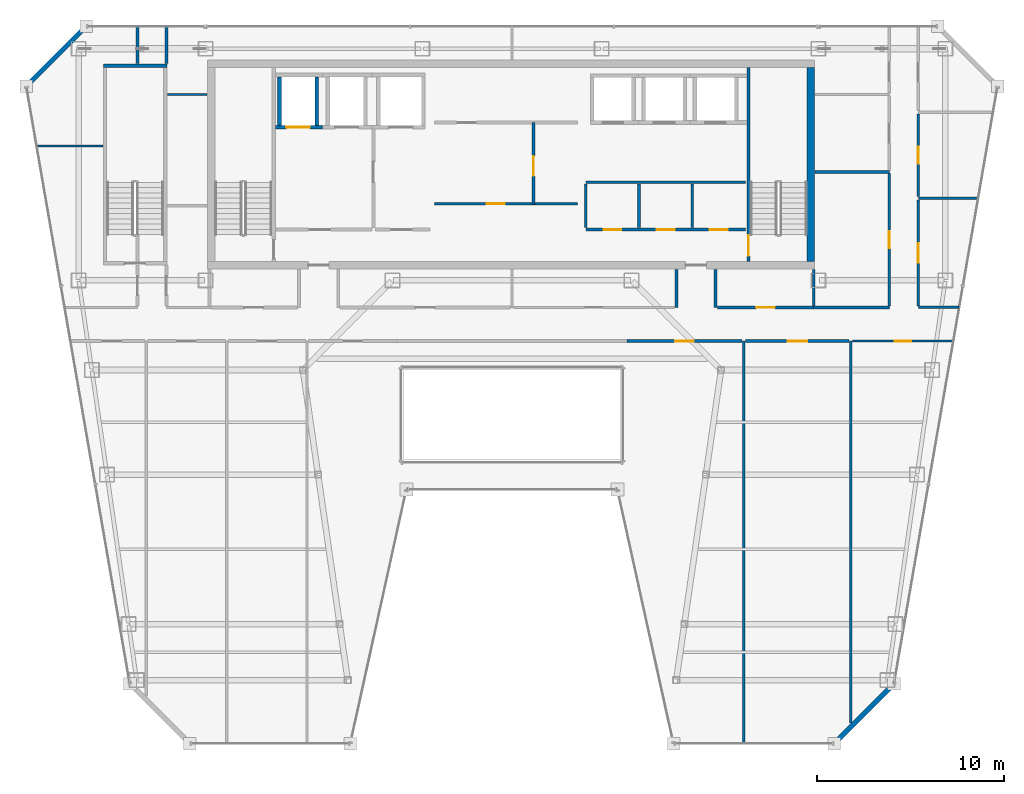
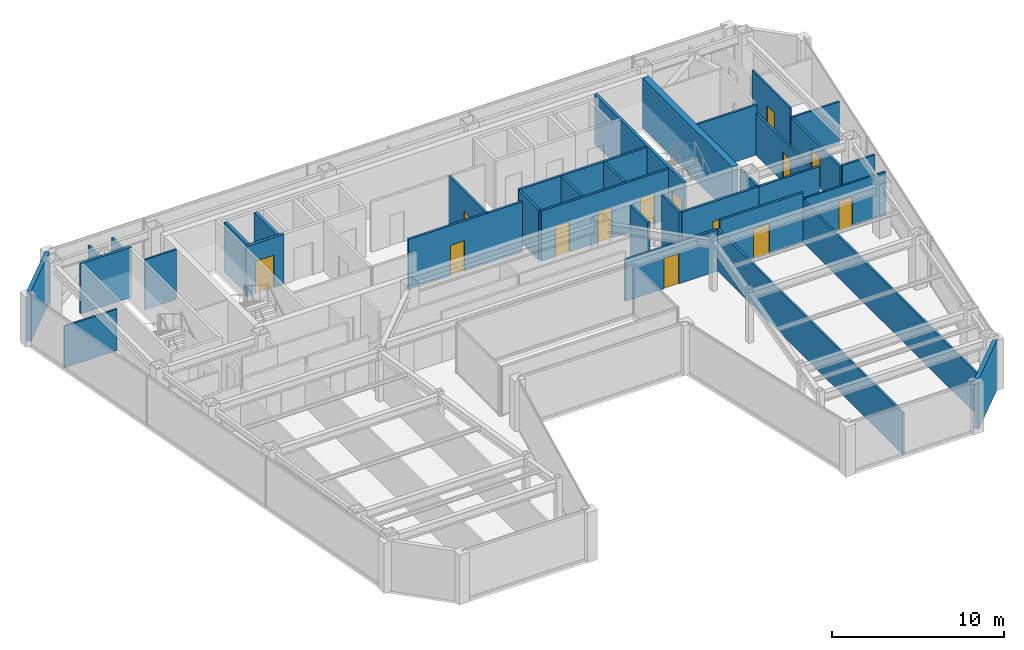
# One storey, part 27 of 33: 35 walls, 14 doors, 14 openings.
"""IFC4 building model written with IfcOpenShell, lengths in metres."""

import ifcopenshell
import ifcopenshell.guid

model = None  # the IFC model being written
_history = None  # IfcOwnerHistory: only IFC2X3 demands one
_inside = {}  # id of a spatial element -> (the spatial element, [elements in it])
_under = {}  # id of a project, library or spatial element -> (it, [spatial elements below it])
_declared = {}  # id of a project -> (the project, [libraries it declares])
_typed = {}  # id of a type object -> (the type object, [elements of that type])
_made_of = {}  # id of a material, layer set ... -> (it, [elements and type objects made of it])


def new_model(schema):
    """Start an empty IFC model of exactly this schema.

    Asked for "IFC4X3", IfcOpenShell would pick the latest addendum, in which some entities
    have other attributes; the version numbers below select the first issue.
    IFC2X3 requires an IfcOwnerHistory on every rooted entity: one is made here for all.
    """
    global model, _history
    if schema == "IFC4X3":
        model = ifcopenshell.file(schema_version=(4, 3, 0, 0))
    else:
        model = ifcopenshell.file(schema=schema)
    _inside.clear()
    _under.clear()
    _declared.clear()
    _typed.clear()
    _made_of.clear()
    _history = None
    if model.schema == "IFC2X3":
        org = make("IfcOrganization", Name="unknown")
        user = make(
            "IfcPersonAndOrganization",
            ThePerson=make("IfcPerson", FamilyName="unknown"),
            TheOrganization=org,
        )
        app = make(
            "IfcApplication",
            ApplicationDeveloper=org,
            Version="unknown",
            ApplicationFullName="unknown",
            ApplicationIdentifier="unknown",
        )
        _history = make(
            "IfcOwnerHistory",
            OwningUser=user,
            OwningApplication=app,
            ChangeAction="ADDED",
            CreationDate=0,
        )
    return model


def make(cls, **values):
    """One entity of the class cls with the attributes given. An attribute that is None is left unset."""
    return model.create_entity(
        cls, **{name: value for name, value in values.items() if value is not None}
    )


def rooted(cls, **values):
    """An entity with a GlobalId (a new one), such as an element, a storey or a relation."""
    return make(cls, GlobalId=ifcopenshell.guid.new(), OwnerHistory=_history, **values)


def si_unit(unit_type, name, prefix=None):
    """IfcSIUnit, for example si_unit("LENGTHUNIT", "METRE", prefix="MILLI")."""
    return make("IfcSIUnit", UnitType=unit_type, Prefix=prefix, Name=name)


def assignment(units):
    """IfcUnitAssignment: the units of a project."""
    return None if units is None else make("IfcUnitAssignment", Units=units)


def point(xyz):
    """IfcCartesianPoint."""
    return None if xyz is None else make("IfcCartesianPoint", Coordinates=xyz)


def direction(xyz):
    """IfcDirection."""
    return None if xyz is None else make("IfcDirection", DirectionRatios=xyz)


def frame(location, z_axis=None, x_axis=None):
    """IfcAxis2Placement3D, a coordinate frame: its origin and axes. An axis left out is left unset."""
    return make(
        "IfcAxis2Placement3D",
        Location=point(location),
        Axis=direction(z_axis),
        RefDirection=direction(x_axis),
    )


def frame_2d(location, x_axis=None):
    """IfcAxis2Placement2D, a coordinate frame in the plane: its origin and x axis."""
    return make(
        "IfcAxis2Placement2D", Location=point(location), RefDirection=direction(x_axis)
    )


def origin():
    """The frame at (0, 0, 0) with its axes left unset."""
    return frame((0.0, 0.0, 0.0))


def place(relative_to, where):
    """IfcLocalPlacement: puts the frame where relative to a parent placement (None: the world)."""
    return make(
        "IfcLocalPlacement", PlacementRelTo=relative_to, RelativePlacement=where
    )


def context(
    kind, dimensions, precision=None, world=None, true_north=None, identifier=None
):
    """IfcGeometricRepresentationContext, for example the 3D "Model" context."""
    return make(
        "IfcGeometricRepresentationContext",
        ContextIdentifier=identifier,
        ContextType=kind,
        CoordinateSpaceDimension=dimensions,
        Precision=precision,
        WorldCoordinateSystem=world,
        TrueNorth=true_north,
    )


def subcontext(parent, identifier, kind, view, scale=None):
    """IfcGeometricRepresentationSubContext, for example "Body" below "Model"."""
    return make(
        "IfcGeometricRepresentationSubContext",
        ContextIdentifier=identifier,
        ContextType=kind,
        ParentContext=parent,
        TargetScale=scale,
        TargetView=view,
    )


def project(units=None, contexts=None):
    """IfcProject with its units and contexts."""
    return rooted(
        "IfcProject",
        Name="project",
        RepresentationContexts=contexts,
        UnitsInContext=assignment(units),
    )


def spatial(cls, under=None, at=None, **own):
    """A site, building, storey or space (cls), placed at a placement, below another one or the project."""
    s = rooted(cls, ObjectPlacement=at, **own)
    if under is not None:
        _under.setdefault(under.id(), (under, []))[1].append(s)
    return s


def profile(cls, at=None, kind="AREA", **sizes):
    """A parametric profile (cls). Its sizes go by their IFC names, for example OverallWidth=200.0."""
    return make(cls, ProfileType=kind, Position=at, **sizes)


def rectangle(**sizes):
    """IfcRectangleProfileDef."""
    return profile("IfcRectangleProfileDef", **sizes)


def extrude(swept, where, along, depth):
    """IfcExtrudedAreaSolid: the profile swept, set in the frame where, extruded along a direction by depth."""
    return make(
        "IfcExtrudedAreaSolid",
        SweptArea=swept,
        Position=where,
        ExtrudedDirection=direction(along),
        Depth=depth,
    )


def shape(context_of_items, identifier, shape_type, items):
    """IfcShapeRepresentation: the items that make up one representation, for example the "Body"."""
    return make(
        "IfcShapeRepresentation",
        ContextOfItems=context_of_items,
        RepresentationIdentifier=identifier,
        RepresentationType=shape_type,
        Items=items,
    )


def material(Name=None, Category=None):
    """IfcMaterial."""
    return make("IfcMaterial", Name=Name, Category=Category)


def layer(
    of_material, thickness, ventilated=None, Name=None, Category=None, Priority=None
):
    """IfcMaterialLayer: one layer of a wall or slab, of a material (None: an air gap)."""
    return make(
        "IfcMaterialLayer",
        Material=of_material,
        LayerThickness=thickness,
        IsVentilated=ventilated,
        Name=Name,
        Category=Category,
        Priority=Priority,
    )


def layer_set(layers, Name=None):
    """IfcMaterialLayerSet."""
    return make("IfcMaterialLayerSet", MaterialLayers=layers, LayerSetName=Name)


def made_of(thing, what):
    """Note that an element or type object is made of a material, layer set ...; save() writes the relation."""
    if what is not None:
        _made_of.setdefault(what.id(), (what, []))[1].append(thing)
    return thing


def type_object(cls, material=None, **own):
    """A type object (cls), such as IfcWallType, which elements share."""
    return made_of(rooted(cls, **own), material)


def element(
    cls,
    number,
    at=None,
    inside=None,
    cuts=None,
    type_object=None,
    material=None,
    context=None,
    identifier="Body",
    shape_type=None,
    held_by="IfcProductDefinitionShape",
    body=None,
    shapes=None,
    **own,
):
    """One element of the class cls, such as IfcWall. Its Tag is "e" and its number.

    at: its placement. inside: the storey or other place that contains it. cuts: it is an
    opening in that element (IfcRelVoidsElement). A single representation is given by context,
    identifier, shape_type and body (its items); several are given by shapes. held_by: the class
    of the entity that holds the representations. save() writes the other relations.
    """
    e = rooted(cls, Tag="e%d" % number, ObjectPlacement=at, **own)
    if body is not None:
        shapes = [shape(context, identifier, shape_type, body)]
    if shapes is not None:
        e.Representation = make(held_by, Representations=shapes)
    if inside is not None:
        _inside.setdefault(inside.id(), (inside, []))[1].append(e)
    if cuts is not None:
        rooted(
            "IfcRelVoidsElement", RelatingBuildingElement=cuts, RelatedOpeningElement=e
        )
    if type_object is not None:
        _typed.setdefault(type_object.id(), (type_object, []))[1].append(e)
    return made_of(e, material)


def fill(opening, filler):
    """IfcRelFillsElement: the door or window that sits in an opening."""
    return rooted(
        "IfcRelFillsElement",
        RelatingOpeningElement=opening,
        RelatedBuildingElement=filler,
    )


def aggregate(whole, parts):
    """IfcRelAggregates: a whole, such as a stair, and the parts it consists of."""
    return rooted("IfcRelAggregates", RelatingObject=whole, RelatedObjects=parts)


def save(model, path):
    """Write the relations noted so far, then the file.

    IfcRelAggregates (storeys below a building ...), IfcRelContainedInSpatialStructure (elements
    in a storey), IfcRelDefinesByType, IfcRelAssociatesMaterial and IfcRelDeclares: one each for
    every whole, place, type object, material and project.
    """
    for whole, parts in _under.values():
        aggregate(whole, parts)
    for where, things in _inside.values():
        rooted(
            "IfcRelContainedInSpatialStructure",
            RelatedElements=things,
            RelatingStructure=where,
        )
    for kind, things in _typed.values():
        rooted("IfcRelDefinesByType", RelatedObjects=things, RelatingType=kind)
    for what, things in _made_of.values():
        rooted("IfcRelAssociatesMaterial", RelatedObjects=things, RelatingMaterial=what)
    for by, libraries in _declared.values():
        rooted("IfcRelDeclares", RelatingContext=by, RelatedDefinitions=libraries)
    model.write(path)


model = new_model("IFC4")

# Units and contexts
model_context = context("Model", 3, precision=1e-05, world=origin(), true_north=direction((0.0, 1.0)))
body_context = subcontext(model_context, "Body", "Model", "MODEL_VIEW")
ifc_project = project(units=[si_unit("LENGTHUNIT", "METRE"), si_unit("AREAUNIT", "SQUARE_METRE"), si_unit("VOLUMEUNIT", "CUBIC_METRE"), si_unit("PLANEANGLEUNIT", "RADIAN"), si_unit("MASSUNIT", "GRAM", prefix="KILO")], contexts=[model_context])

# Site, building, storey
site_placement = place(None, origin())
site = spatial("IfcSite", under=ifc_project, at=site_placement, CompositionType="ELEMENT")
building_placement = place(site_placement, origin())
building = spatial("IfcBuilding", under=site, at=building_placement, Name="Saevonmaru Cultural Tower", CompositionType="ELEMENT")
storey_placement = place(building_placement, frame((0.0, 0.0, 238.199951171875)))
storey = spatial("IfcBuildingStorey", under=building, at=storey_placement, Name="L55", CompositionType="ELEMENT", Elevation=238.199951171875)

# Wall
ifc_material_1 = material(Name="Concrete C50/60", Category="concrete")
ifc_layer_1 = layer(ifc_material_1, 0.39990234375, Name="Concrete C50/60")
ifc_layer_set_1 = layer_set([ifc_layer_1], Name="Concrete C50/60")
wall_type_1 = type_object("IfcWallType", Name="WL-CORE-400", PredefinedType="SHEAR", material=ifc_layer_set_1)
wall_1_placement = place(storey_placement, frame((46.0, 43.39990234375, 0.0), z_axis=(0.0, 0.0, 1.0), x_axis=(0.0, 1.0, 0.0)))
element("IfcWall", 1, at=wall_1_placement, inside=storey, type_object=wall_type_1, Name="L55 Tower RC core shear wall E", PredefinedType="SHEAR", context=body_context, shape_type="SweptSolid", body=[
    extrude(rectangle(XDim=10.400146484375, YDim=0.39990234375, at=frame_2d((5.2001953125, 0.0))), origin(), (0.0, 0.0, 1.0), 3.550048828125),
])

# Wall, opening, door
ifc_material_2 = material(Name="Gypsum Fireboard Partition", Category="gypsum")
ifc_layer_2 = layer(ifc_material_2, 0.14990234375, Name="Gypsum Fireboard Partition")
ifc_layer_set_2 = layer_set([ifc_layer_2], Name="Gypsum Fireboard Partition")
wall_type_2 = type_object("IfcWallType", Name="WL-CORE-PART-150", PredefinedType="PARTITIONING", material=ifc_layer_set_2)
wall_2_placement = place(storey_placement, frame((31.14990234375, 46.5, 0.0), z_axis=(0.0, 0.0, 1.0), x_axis=(0.0, 1.0, 0.0)))
wall_2 = element("IfcWall", 2, at=wall_2_placement, inside=storey, type_object=wall_type_2, Name="L55 Lift Zone Baffle 1", PredefinedType="PARTITIONING", context=body_context, shape_type="SweptSolid", body=[
    extrude(rectangle(XDim=4.35009765625, YDim=0.14990234375, at=frame_2d((2.175048828125, 0.0))), origin(), (0.0, 0.0, 1.0), 3.550048828125),
])
opening_1_placement = place(wall_2_placement, frame((1.5, 0.0, 0.0)))
opening_1 = element("IfcOpeningElement", 3, at=opening_1_placement, cuts=wall_2, Name="Opening ID-1", PredefinedType="OPENING", context=body_context, shape_type="SweptSolid", body=[
    extrude(rectangle(XDim=1.050048828125, YDim=2.14990234375, at=frame_2d((0.52490234375, 1.074951171875))), frame((0.0, 0.0849609375, 0.0), z_axis=(0.0, -1.0, 0.0), x_axis=(1.0, 0.0, 0.0)), (0.0, 0.0, 1.0), 0.169921875),
])
ifc_material_3 = material(Name="Satin Bronze Anodised Aluminium", Category="aluminium")
door_type_1 = type_object("IfcDoorType", Name="DR-INT-1050", OperationType="SINGLE_SWING_LEFT", PredefinedType="DOOR", material=ifc_material_3)
door_1_placement = place(opening_1_placement, origin())
door_1 = element("IfcDoor", 4, at=door_1_placement, inside=storey, type_object=door_type_1, Name="L55 West-Mid Lobby Portal", OperationType="SINGLE_SWING_LEFT", OverallHeight=2.14990234375, OverallWidth=1.050048828125, PredefinedType="DOOR", context=body_context, shape_type="SweptSolid", body=[
    extrude(rectangle(XDim=1.050048828125, YDim=2.14990234375, at=frame_2d((0.52490234375, 1.074951171875))), frame((0.0, 0.02490234375, 0.0), z_axis=(0.0, -1.0, 0.0), x_axis=(1.0, 0.0, 0.0)), (0.0, 0.0, 1.0), 0.050048828125),
])
fill(opening_1, door_1)

# Wall, openings, doors
wall_3_placement = place(storey_placement, frame((33.949951171875, 45.1201171875, 0.0), z_axis=(0.0, 0.0, 1.0), x_axis=(1.0, 0.0, 0.0)))
wall_3 = element("IfcWall", 5, at=wall_3_placement, inside=storey, type_object=wall_type_2, Name="L55 Core Utility South Wall", PredefinedType="PARTITIONING", context=body_context, shape_type="SweptSolid", body=[
    extrude(rectangle(XDim=8.550048828125, YDim=0.14990234375, at=frame_2d((4.27490234375, 0.0))), origin(), (0.0, 0.0, 1.0), 3.550048828125),
])
opening_2_placement = place(wall_3_placement, frame((0.949951171875, 0.0, 0.0)))
opening_2 = element("IfcOpeningElement", 6, at=opening_2_placement, cuts=wall_3, Name="Opening FD-4", PredefinedType="OPENING", context=body_context, shape_type="SweptSolid", body=[
    extrude(rectangle(XDim=0.949951171875, YDim=2.14990234375, at=frame_2d((0.47509765625, 1.074951171875))), frame((0.0, 0.0849609375, 0.0), z_axis=(0.0, -1.0, 0.0), x_axis=(1.0, 0.0, 0.0)), (0.0, 0.0, 1.0), 0.169921875),
])
opening_3_placement = place(wall_3_placement, frame((3.800048828125, 0.0, 0.0)))
opening_3 = element("IfcOpeningElement", 7, at=opening_3_placement, cuts=wall_3, Name="Opening FD-4", PredefinedType="OPENING", context=body_context, shape_type="SweptSolid", body=[
    extrude(rectangle(XDim=0.949951171875, YDim=2.14990234375, at=frame_2d((0.47509765625, 1.074951171875))), frame((0.0, 0.0849609375, 0.0), z_axis=(0.0, -1.0, 0.0), x_axis=(1.0, 0.0, 0.0)), (0.0, 0.0, 1.0), 0.169921875),
])
opening_4_placement = place(wall_3_placement, frame((6.64990234375, 0.0, 0.0)))
opening_4 = element("IfcOpeningElement", 8, at=opening_4_placement, cuts=wall_3, Name="Opening FD-4", PredefinedType="OPENING", context=body_context, shape_type="SweptSolid", body=[
    extrude(rectangle(XDim=0.949951171875, YDim=2.14990234375, at=frame_2d((0.47509765625, 1.074951171875))), frame((0.0, 0.0849609375, 0.0), z_axis=(0.0, -1.0, 0.0), x_axis=(1.0, 0.0, 0.0)), (0.0, 0.0, 1.0), 0.169921875),
])
door_type_2 = type_object("IfcDoorType", Name="DR-FD60-950", OperationType="SINGLE_SWING_LEFT", PredefinedType="DOOR", material=ifc_material_3)
door_2_placement = place(opening_2_placement, origin())
door_2 = element("IfcDoor", 9, at=door_2_placement, inside=storey, type_object=door_type_2, Name="L55 Meter Plant Door", OperationType="SINGLE_SWING_LEFT", OverallHeight=2.14990234375, OverallWidth=0.949951171875, PredefinedType="DOOR", context=body_context, shape_type="SweptSolid", body=[
    extrude(rectangle(XDim=0.949951171875, YDim=2.14990234375, at=frame_2d((0.47509765625, 1.074951171875))), frame((0.0, 0.02490234375, 0.0), z_axis=(0.0, -1.0, 0.0), x_axis=(1.0, 0.0, 0.0)), (0.0, 0.0, 1.0), 0.050048828125),
])
fill(opening_2, door_2)
door_3_placement = place(opening_3_placement, origin())
door_3 = element("IfcDoor", 10, at=door_3_placement, inside=storey, type_object=door_type_2, Name="L55 AV Rack Plant Door", OperationType="SINGLE_SWING_LEFT", OverallHeight=2.14990234375, OverallWidth=0.949951171875, PredefinedType="DOOR", context=body_context, shape_type="SweptSolid", body=[
    extrude(rectangle(XDim=0.949951171875, YDim=2.14990234375, at=frame_2d((0.47509765625, 1.074951171875))), frame((0.0, 0.02490234375, 0.0), z_axis=(0.0, -1.0, 0.0), x_axis=(1.0, 0.0, 0.0)), (0.0, 0.0, 1.0), 0.050048828125),
])
fill(opening_3, door_3)
door_4_placement = place(opening_4_placement, origin())
door_4 = element("IfcDoor", 11, at=door_4_placement, inside=storey, type_object=door_type_2, Name="L55 Archive Supply Storage Door", OperationType="SINGLE_SWING_LEFT", OverallHeight=2.14990234375, OverallWidth=0.949951171875, PredefinedType="DOOR", context=body_context, shape_type="SweptSolid", body=[
    extrude(rectangle(XDim=0.949951171875, YDim=2.14990234375, at=frame_2d((0.47509765625, 1.074951171875))), frame((0.0, 0.02490234375, 0.0), z_axis=(0.0, -1.0, 0.0), x_axis=(1.0, 0.0, 0.0)), (0.0, 0.0, 1.0), 0.050048828125),
])
fill(opening_4, door_4)

# Walls
wall_4_placement = place(storey_placement, frame((33.949951171875, 47.64990234375, 0.0), z_axis=(0.0, 0.0, 1.0), x_axis=(1.0, 0.0, 0.0)))
element("IfcWall", 12, at=wall_4_placement, inside=storey, type_object=wall_type_2, Name="L55 Core Utility North Wall", PredefinedType="PARTITIONING", context=body_context, shape_type="SweptSolid", body=[
    extrude(rectangle(XDim=8.550048828125, YDim=0.14990234375, at=frame_2d((4.27490234375, 0.0))), origin(), (0.0, 0.0, 1.0), 3.550048828125),
])
for number, where, z_axis, x_axis, name in (
    (13, (33.949951171875, 45.219970703125, 0.0), (0.0, 0.0, 1.0), (0.0, 1.0, 0.0), "L55 Core Utility West Wall"),
    (14, (36.800048828125, 45.219970703125, 0.0), (0.0, 0.0, 1.0), (0.0, 1.0, 0.0), "L55 Utility Divider 1"),
    (15, (39.64990234375, 45.219970703125, 0.0), (0.0, 0.0, 1.0), (0.0, 1.0, 0.0), "L55 Utility Divider 2"),
):
    element("IfcWall", number, at=place(storey_placement, frame(where, z_axis=z_axis, x_axis=x_axis)), inside=storey, type_object=wall_type_2, Name=name, PredefinedType="PARTITIONING", context=body_context, shape_type="SweptSolid", body=[
        extrude(rectangle(XDim=2.330078125, YDim=0.14990234375, at=frame_2d((1.1650390625, 0.0))), origin(), (0.0, 0.0, 1.0), 3.550048828125),
    ])

# Wall, opening, door
wall_5_placement = place(storey_placement, frame((25.85009765625, 46.5, 0.0), z_axis=(0.0, 0.0, 1.0), x_axis=(1.0, 0.0, 0.0)))
wall_5 = element("IfcWall", 16, at=wall_5_placement, inside=storey, type_object=wall_type_2, Name="L55 Reclaimed Mid-Shaft Wall", PredefinedType="PARTITIONING", context=body_context, shape_type="SweptSolid", body=[
    extrude(rectangle(XDim=7.64990234375, YDim=0.14990234375, at=frame_2d((3.824951171875, 0.0))), origin(), (0.0, 0.0, 1.0), 3.550048828125),
])
opening_5_placement = place(wall_5_placement, frame((2.800048828125, 0.0, 0.0)))
opening_5 = element("IfcOpeningElement", 17, at=opening_5_placement, cuts=wall_5, Name="Opening FD-4", PredefinedType="OPENING", context=body_context, shape_type="SweptSolid", body=[
    extrude(rectangle(XDim=0.949951171875, YDim=2.14990234375, at=frame_2d((0.47509765625, 1.074951171875))), frame((0.0, 0.0849609375, 0.0), z_axis=(0.0, -1.0, 0.0), x_axis=(1.0, 0.0, 0.0)), (0.0, 0.0, 1.0), 0.169921875),
])
door_5_placement = place(opening_5_placement, origin())
door_5 = element("IfcDoor", 18, at=door_5_placement, inside=storey, type_object=door_type_2, Name="L55 Reclaimed Manuscript Storage Door", OperationType="SINGLE_SWING_LEFT", OverallHeight=2.14990234375, OverallWidth=0.949951171875, PredefinedType="DOOR", context=body_context, shape_type="SweptSolid", body=[
    extrude(rectangle(XDim=0.949951171875, YDim=2.14990234375, at=frame_2d((0.47509765625, 1.074951171875))), frame((0.0, 0.02490234375, 0.0), z_axis=(0.0, -1.0, 0.0), x_axis=(1.0, 0.0, 0.0)), (0.0, 0.0, 1.0), 0.050048828125),
])
fill(opening_5, door_5)

# Walls
ifc_material_4 = material(Name="Granite-Clad Precast Concrete C40/50", Category="masonry")
ifc_layer_3 = layer(ifc_material_4, 0.260009765625, Name="Granite-Clad Precast Concrete C40/50")
ifc_layer_set_3 = layer_set([ifc_layer_3], Name="Granite-Clad Precast Concrete C40/50")
wall_type_3 = type_object("IfcWallType", Name="WL-EXT-SPANDREL-260", PredefinedType="STANDARD", material=ifc_layer_set_3)
wall_6_placement = place(storey_placement, frame((47.366455078125, 17.713134765625, 0.0), z_axis=(0.0, 0.0, 1.0), x_axis=(0.70707775441, 0.707135806771, 0.0)))
element("IfcWall", 19, at=wall_6_placement, inside=storey, type_object=wall_type_3, Name="L55 Chamfer Corner Spandrel Wall E7", PredefinedType="STANDARD", context=body_context, shape_type="SweptSolid", body=[
    extrude(rectangle(XDim=4.20556640625, YDim=0.260009765625, at=frame_2d((2.102783203125, 0.0))), origin(), (0.0, 0.0, 1.0), 3.550048828125),
])
wall_7_placement = place(storey_placement, frame((7.0869140625, 55.886962890625, 0.0), z_axis=(0.0, 0.0, 1.0), x_axis=(-0.707106781187, -0.707106781187, 0.0)))
element("IfcWall", 20, at=wall_7_placement, inside=storey, type_object=wall_type_3, Name="L55 Chamfer Corner Spandrel Wall E11", PredefinedType="STANDARD", context=body_context, shape_type="SweptSolid", body=[
    extrude(rectangle(XDim=4.205810546875, YDim=0.260009765625, at=frame_2d((2.10302734375, 0.0))), origin(), (0.0, 0.0, 1.0), 3.550048828125),
])
ifc_layer_4 = layer(ifc_material_2, 0.14990234375, Name="Gypsum Fireboard Partition")
ifc_layer_set_4 = layer_set([ifc_layer_4], Name="Gypsum Fireboard Partition")
wall_type_4 = type_object("IfcWallType", Name="WL-PART-FIRE-150", PredefinedType="PARTITIONING", material=ifc_layer_set_4)
for number, where, z_axis, x_axis, name in (
    (21, (11.5, 54.0, 0.0), (0.0, 0.0, 1.0), (0.0, 1.0, 0.0), "L55 Sound Art Screening Auditorium Corridor Wall"),
    (22, (9.949951171875, 54.0, 0.0), (0.0, 0.0, 1.0), (0.0, 1.0, 0.0), "L55 Media Screening Auditorium Corridor Wall"),
):
    element("IfcWall", number, at=place(storey_placement, frame(where, z_axis=z_axis, x_axis=x_axis)), inside=storey, type_object=wall_type_4, Name=name, PredefinedType="PARTITIONING", context=body_context, shape_type="SweptSolid", body=[
        extrude(rectangle(XDim=1.9951171875, YDim=0.14990234375, at=frame_2d((0.99755859375, 0.0))), origin(), (0.0, 0.0, 1.0), 2.93505859375),
    ])

# Wall, opening, door
wall_8_placement = place(storey_placement, frame((51.75, 41.03759765625, 0.0), z_axis=(0.0, 0.0, 1.0), x_axis=(0.0, 1.0, 0.0)))
wall_8 = element("IfcWall", 23, at=wall_8_placement, inside=storey, type_object=wall_type_4, Name="L55 Visual Arts Critique Gallery Corridor Wall", PredefinedType="PARTITIONING", context=body_context, shape_type="SweptSolid", body=[
    extrude(rectangle(XDim=5.6748046875, YDim=0.14990234375, at=frame_2d((2.83740234375, 0.0))), origin(), (0.0, 0.0, 1.0), 2.947021484375),
])
opening_6_placement = place(wall_8_placement, frame((2.31201171875, 0.0, 0.0)))
opening_6 = element("IfcOpeningElement", 24, at=opening_6_placement, cuts=wall_8, Name="Opening ID-1", PredefinedType="OPENING", context=body_context, shape_type="SweptSolid", body=[
    extrude(rectangle(XDim=1.050048828125, YDim=2.14990234375, at=frame_2d((0.52490234375, 1.074951171875))), frame((0.0, 0.0849609375, 0.0), z_axis=(0.0, -1.0, 0.0), x_axis=(1.0, 0.0, 0.0)), (0.0, 0.0, 1.0), 0.169921875),
])
door_6_placement = place(opening_6_placement, origin())
door_6 = element("IfcDoor", 25, at=door_6_placement, inside=storey, type_object=door_type_1, Name="L55 Visual Arts Critique Gallery Door", OperationType="SINGLE_SWING_LEFT", OverallHeight=2.14990234375, OverallWidth=1.050048828125, PredefinedType="DOOR", context=body_context, shape_type="SweptSolid", body=[
    extrude(rectangle(XDim=1.050048828125, YDim=2.14990234375, at=frame_2d((0.52490234375, 1.074951171875))), frame((0.0, 0.02490234375, 0.0), z_axis=(0.0, -1.0, 0.0), x_axis=(1.0, 0.0, 0.0)), (0.0, 0.0, 1.0), 0.050048828125),
])
fill(opening_6, door_6)

# Walls
for number, where, z_axis, x_axis, name in (
    (26, (38.800048828125, 40.949951171875, 0.0), (0.0, 0.0, 1.0), (0.0, 1.0, 0.0), "L55 Core Portal Side Wall E1"),
    (27, (40.89990234375, 40.949951171875, 0.0), (0.0, 0.0, 1.0), (0.0, 1.0, 0.0), "L55 Core Portal Side Wall E2"),
):
    element("IfcWall", number, at=place(storey_placement, frame(where, z_axis=z_axis, x_axis=x_axis)), inside=storey, type_object=wall_type_4, Name=name, PredefinedType="PARTITIONING", context=body_context, shape_type="SweptSolid", body=[
        extrude(rectangle(XDim=2.030029296875, YDim=0.14990234375, at=frame_2d((1.01513671875, 0.0))), origin(), (0.0, 0.0, 1.0), 3.550048828125),
    ])

# Wall, opening, door
wall_9_placement = place(storey_placement, frame((40.9951171875, 40.949951171875, 0.0), z_axis=(0.0, 0.0, 1.0), x_axis=(1.0, 0.0, 0.0)))
wall_9 = element("IfcWall", 28, at=wall_9_placement, inside=storey, type_object=wall_type_4, Name="L55 Sound Art Screening Auditorium Corridor Wall", PredefinedType="PARTITIONING", context=body_context, shape_type="SweptSolid", body=[
    extrude(rectangle(XDim=5.15478515625, YDim=0.14990234375, at=frame_2d((2.577392578125, 0.0))), origin(), (0.0, 0.0, 1.0), 3.550048828125),
])
opening_7_placement = place(wall_9_placement, frame((2.077880859375, 0.0, 0.0)))
opening_7 = element("IfcOpeningElement", 29, at=opening_7_placement, cuts=wall_9, Name="Opening ID-1B", PredefinedType="OPENING", context=body_context, shape_type="SweptSolid", body=[
    extrude(rectangle(XDim=1.0, YDim=2.14990234375, at=frame_2d((0.5, 1.074951171875))), frame((0.0, 0.0849609375, 0.0), z_axis=(0.0, -1.0, 0.0), x_axis=(1.0, 0.0, 0.0)), (0.0, 0.0, 1.0), 0.169921875),
])
ifc_material_5 = material(Name="Acoustic Stained Oak Timber", Category="wood")
door_type_3 = type_object("IfcDoorType", Name="DR-INT-1000", OperationType="SINGLE_SWING_RIGHT", PredefinedType="DOOR", material=ifc_material_5)
door_7_placement = place(opening_7_placement, origin())
door_7 = element("IfcDoor", 30, at=door_7_placement, inside=storey, type_object=door_type_3, Name="L55 Sound Art Screening Auditorium Door", OperationType="SINGLE_SWING_LEFT", OverallHeight=2.14990234375, OverallWidth=1.0, PredefinedType="DOOR", context=body_context, shape_type="SweptSolid", body=[
    extrude(rectangle(XDim=1.0, YDim=2.14990234375, at=frame_2d((0.5, 1.074951171875))), frame((0.0, 0.02490234375, 0.0), z_axis=(0.0, -1.0, 0.0), x_axis=(1.0, 0.0, 0.0)), (0.0, 0.0, 1.0), 0.050048828125),
])
fill(opening_7, door_7)

wall_10_placement = place(storey_placement, frame((36.14990234375, 39.14990234375, 0.0), z_axis=(0.0, 0.0, 1.0), x_axis=(1.0, 0.0, 0.0)))
wall_10 = element("IfcWall", 31, at=wall_10_placement, inside=storey, type_object=wall_type_4, Name="L55 Sound Art Screening Auditorium Corridor Wall", PredefinedType="PARTITIONING", context=body_context, shape_type="SweptSolid", body=[
    extrude(rectangle(XDim=6.172607421875, YDim=0.14990234375, at=frame_2d((3.08642578125, 0.0))), origin(), (0.0, 0.0, 1.0), 2.947021484375),
])
opening_8_placement = place(wall_10_placement, frame((2.5859375, 0.0, 0.0)))
opening_8 = element("IfcOpeningElement", 32, at=opening_8_placement, cuts=wall_10, Name="Opening ID-1B", PredefinedType="OPENING", context=body_context, shape_type="SweptSolid", body=[
    extrude(rectangle(XDim=1.0, YDim=2.14990234375, at=frame_2d((0.5, 1.074951171875))), frame((0.0, 0.0849609375, 0.0), z_axis=(0.0, -1.0, 0.0), x_axis=(1.0, 0.0, 0.0)), (0.0, 0.0, 1.0), 0.169921875),
])
door_8_placement = place(opening_8_placement, origin())
door_8 = element("IfcDoor", 33, at=door_8_placement, inside=storey, type_object=door_type_3, Name="L55 Sound Art Screening Auditorium Door", OperationType="SINGLE_SWING_RIGHT", OverallHeight=2.14990234375, OverallWidth=1.0, PredefinedType="DOOR", context=body_context, shape_type="SweptSolid", body=[
    extrude(rectangle(XDim=1.0, YDim=2.14990234375, at=frame_2d((0.5, 1.074951171875))), frame((0.0, 0.02490234375, 0.0), z_axis=(0.0, -1.0, 0.0), x_axis=(1.0, 0.0, 0.0)), (0.0, 0.0, 1.0), 0.050048828125),
])
fill(opening_8, door_8)

wall_11_placement = place(storey_placement, frame((42.49755859375, 39.14990234375, 0.0), z_axis=(0.0, 0.0, 1.0), x_axis=(1.0, 0.0, 0.0)))
wall_11 = element("IfcWall", 34, at=wall_11_placement, inside=storey, type_object=wall_type_4, Name="L55 Visual Arts Critique Gallery Corridor Wall", PredefinedType="PARTITIONING", context=body_context, shape_type="SweptSolid", body=[
    extrude(rectangle(XDim=5.554931640625, YDim=0.14990234375, at=frame_2d((2.77734375, 0.0))), origin(), (0.0, 0.0, 1.0), 3.550048828125),
])
opening_9_placement = place(wall_11_placement, frame((2.251953125, 0.0, 0.0)))
opening_9 = element("IfcOpeningElement", 35, at=opening_9_placement, cuts=wall_11, Name="Opening ID-1", PredefinedType="OPENING", context=body_context, shape_type="SweptSolid", body=[
    extrude(rectangle(XDim=1.050048828125, YDim=2.14990234375, at=frame_2d((0.52490234375, 1.074951171875))), frame((0.0, 0.0849609375, 0.0), z_axis=(0.0, -1.0, 0.0), x_axis=(1.0, 0.0, 0.0)), (0.0, 0.0, 1.0), 0.169921875),
])
door_9_placement = place(opening_9_placement, origin())
door_9 = element("IfcDoor", 36, at=door_9_placement, inside=storey, type_object=door_type_1, Name="L55 Visual Arts Critique Gallery Door", OperationType="SINGLE_SWING_LEFT", OverallHeight=2.14990234375, OverallWidth=1.050048828125, PredefinedType="DOOR", context=body_context, shape_type="SweptSolid", body=[
    extrude(rectangle(XDim=1.050048828125, YDim=2.14990234375, at=frame_2d((0.52490234375, 1.074951171875))), frame((0.0, 0.02490234375, 0.0), z_axis=(0.0, -1.0, 0.0), x_axis=(1.0, 0.0, 0.0)), (0.0, 0.0, 1.0), 0.050048828125),
])
fill(opening_9, door_9)

# Walls
ifc_layer_5 = layer(ifc_material_2, 0.1201171875, Name="Gypsum Fireboard Partition")
ifc_layer_set_5 = layer_set([ifc_layer_5], Name="Gypsum Fireboard Partition")
wall_type_5 = type_object("IfcWallType", Name="WL-PART-GYP-120", PredefinedType="PARTITIONING", material=ifc_layer_set_5)
wall_12_placement = place(storey_placement, frame((11.550048828125, 52.35009765625, 0.0), z_axis=(0.0, 0.0, 1.0), x_axis=(1.0, 0.0, 0.0)))
element("IfcWall", 37, at=wall_12_placement, inside=storey, type_object=wall_type_5, Name="L55 North-West Panorama South Wall", PredefinedType="PARTITIONING", context=body_context, shape_type="SweptSolid", body=[
    extrude(rectangle(XDim=2.1298828125, YDim=0.1201171875, at=frame_2d((1.06494140625, 0.0))), origin(), (0.0, 0.0, 1.0), 3.550048828125),
])
wall_13_placement = place(storey_placement, frame((4.559814453125, 49.60009765625, 0.0), z_axis=(0.0, 0.0, 1.0), x_axis=(1.0, 0.0, 0.0)))
element("IfcWall", 38, at=wall_13_placement, inside=storey, type_object=wall_type_5, Name="L55 NW Studio Divider 1", PredefinedType="PARTITIONING", context=body_context, shape_type="SweptSolid", body=[
    extrude(rectangle(XDim=3.540283203125, YDim=0.1201171875, at=frame_2d((1.77001953125, 0.0))), origin(), (0.0, 0.0, 1.0), 2.947021484375),
])

# Wall, opening, door
wall_14_placement = place(storey_placement, frame((51.75, 46.887451171875, 0.0), z_axis=(0.0, 0.0, 1.0), x_axis=(0.0, 1.0, 0.0)))
wall_14 = element("IfcWall", 39, at=wall_14_placement, inside=storey, type_object=wall_type_5, Name="L55 Architecture Residency Office Corridor Wall", PredefinedType="PARTITIONING", context=body_context, shape_type="SweptSolid", body=[
    extrude(rectangle(XDim=4.425048828125, YDim=0.1201171875, at=frame_2d((2.21240234375, 0.0))), origin(), (0.0, 0.0, 1.0), 3.550048828125),
])
opening_10_placement = place(wall_14_placement, frame((1.761962890625, 0.0, 0.0)))
opening_10 = element("IfcOpeningElement", 40, at=opening_10_placement, cuts=wall_14, Name="Opening ID-2", PredefinedType="OPENING", context=body_context, shape_type="SweptSolid", body=[
    extrude(rectangle(XDim=0.89990234375, YDim=2.10009765625, at=frame_2d((0.449951171875, 1.050048828125))), frame((0.0, 0.070068359375, 0.0), z_axis=(0.0, -1.0, 0.0), x_axis=(1.0, 0.0, 0.0)), (0.0, 0.0, 1.0), 0.14013671875),
])
door_type_4 = type_object("IfcDoorType", Name="DR-INT-900", OperationType="SINGLE_SWING_RIGHT", PredefinedType="DOOR", material=ifc_material_5)
door_10_placement = place(opening_10_placement, origin())
door_10 = element("IfcDoor", 41, at=door_10_placement, inside=storey, type_object=door_type_4, Name="L55 Architecture Residency Office Door", OperationType="SINGLE_SWING_RIGHT", OverallHeight=2.10009765625, OverallWidth=0.89990234375, PredefinedType="DOOR", context=body_context, shape_type="SweptSolid", body=[
    extrude(rectangle(XDim=0.89990234375, YDim=2.10009765625, at=frame_2d((0.449951171875, 1.050048828125))), frame((0.0, 0.02490234375, 0.0), z_axis=(0.0, -1.0, 0.0), x_axis=(1.0, 0.0, 0.0)), (0.0, 0.0, 1.0), 0.050048828125),
])
fill(opening_10, door_10)

wall_15_placement = place(storey_placement, frame((48.2275390625, 39.14990234375, 0.0), z_axis=(0.0, 0.0, 1.0), x_axis=(1.0, 0.0, 0.0)))
wall_15 = element("IfcWall", 42, at=wall_15_placement, inside=storey, type_object=wall_type_5, Name="L55 Architecture Residency Office Corridor Wall", PredefinedType="PARTITIONING", context=body_context, shape_type="SweptSolid", body=[
    extrude(rectangle(XDim=5.4013671875, YDim=0.1201171875, at=frame_2d((2.70068359375, 0.0))), origin(), (0.0, 0.0, 1.0), 3.0849609375),
])
opening_11_placement = place(wall_15_placement, frame((2.2509765625, 0.0, 0.0)))
opening_11 = element("IfcOpeningElement", 43, at=opening_11_placement, cuts=wall_15, Name="Opening ID-2", PredefinedType="OPENING", context=body_context, shape_type="SweptSolid", body=[
    extrude(rectangle(XDim=0.89990234375, YDim=2.10009765625, at=frame_2d((0.449951171875, 1.050048828125))), frame((0.0, 0.070068359375, 0.0), z_axis=(0.0, -1.0, 0.0), x_axis=(1.0, 0.0, 0.0)), (0.0, 0.0, 1.0), 0.14013671875),
])
door_11_placement = place(opening_11_placement, origin())
door_11 = element("IfcDoor", 44, at=door_11_placement, inside=storey, type_object=door_type_4, Name="L55 Architecture Residency Office Door", OperationType="SINGLE_SWING_RIGHT", OverallHeight=2.10009765625, OverallWidth=0.89990234375, PredefinedType="DOOR", context=body_context, shape_type="SweptSolid", body=[
    extrude(rectangle(XDim=0.89990234375, YDim=2.10009765625, at=frame_2d((0.449951171875, 1.050048828125))), frame((0.0, 0.02490234375, 0.0), z_axis=(0.0, -1.0, 0.0), x_axis=(1.0, 0.0, 0.0)), (0.0, 0.0, 1.0), 0.050048828125),
])
fill(opening_11, door_11)

# Walls
ifc_layer_6 = layer(ifc_material_2, 0.135009765625, Name="Gypsum Fireboard Partition")
ifc_layer_set_6 = layer_set([ifc_layer_6], Name="Gypsum Fireboard Partition")
wall_type_6 = type_object("IfcWallType", Name="WL-PART-GYP-135", PredefinedType="PARTITIONING", material=ifc_layer_set_6)
wall_16_placement = place(storey_placement, frame((51.75, 40.949951171875, 0.0), z_axis=(0.0, 0.0, 1.0), x_axis=(1.0, 0.0, 0.0)))
element("IfcWall", 45, at=wall_16_placement, inside=storey, type_object=wall_type_6, Name="L55 NE Wing South Wall", PredefinedType="PARTITIONING", context=body_context, shape_type="SweptSolid", body=[
    extrude(rectangle(XDim=2.19091796875, YDim=0.135009765625, at=frame_2d((1.095458984375, 0.0))), origin(), (0.0, 0.0, 1.0), 3.0849609375),
])
wall_17_placement = place(storey_placement, frame((51.75, 46.800048828125, 0.0), z_axis=(0.0, 0.0, 1.0), x_axis=(1.0, 0.0, 0.0)))
element("IfcWall", 46, at=wall_17_placement, inside=storey, type_object=wall_type_6, Name="L55 NE Studio Divider 1", PredefinedType="PARTITIONING", context=body_context, shape_type="SweptSolid", body=[
    extrude(rectangle(XDim=3.204833984375, YDim=0.135009765625, at=frame_2d((1.6025390625, 0.0))), origin(), (0.0, 0.0, 1.0), 2.947021484375),
])
wall_18_placement = place(storey_placement, frame((42.409912109375, 17.60498046875, 0.0), z_axis=(0.0, 0.0, 1.0), x_axis=(0.0, 1.0, 0.0)))
element("IfcWall", 47, at=wall_18_placement, inside=storey, type_object=wall_type_6, Name="L55 East Bay Divider 1", PredefinedType="PARTITIONING", context=body_context, shape_type="SweptSolid", body=[
    extrude(rectangle(XDim=21.544921875, YDim=0.135009765625, at=frame_2d((10.7724609375, 0.0))), origin(), (0.0, 0.0, 1.0), 2.947021484375),
])
wall_19_placement = place(storey_placement, frame((48.139892578125, 18.69873046875, 0.0), z_axis=(0.0, 0.0, 1.0), x_axis=(0.0, 1.0, 0.0)))
element("IfcWall", 48, at=wall_19_placement, inside=storey, type_object=wall_type_6, Name="L55 East Bay Divider 2", PredefinedType="PARTITIONING", context=body_context, shape_type="SweptSolid", body=[
    extrude(rectangle(XDim=20.451171875, YDim=0.135009765625, at=frame_2d((10.2255859375, 0.0))), origin(), (0.0, 0.0, 1.0), 2.947021484375),
])
ifc_layer_7 = layer(ifc_material_2, 0.139892578125, Name="Gypsum Fireboard Partition")
ifc_layer_set_7 = layer_set([ifc_layer_7], Name="Gypsum Fireboard Partition")
wall_type_7 = type_object("IfcWallType", Name="WL-PART-WET-140", PredefinedType="PARTITIONING", material=ifc_layer_set_7)
wall_20_placement = place(storey_placement, frame((46.14990234375, 40.949951171875, 0.0), z_axis=(0.0, 0.0, 1.0), x_axis=(1.0, 0.0, 0.0)))
element("IfcWall", 49, at=wall_20_placement, inside=storey, type_object=wall_type_7, Name="L55 Washroom South Wall", PredefinedType="PARTITIONING", context=body_context, shape_type="SweptSolid", body=[
    extrude(rectangle(XDim=4.050048828125, YDim=0.139892578125, at=frame_2d((2.02490234375, 0.0))), origin(), (0.0, 0.0, 1.0), 3.550048828125),
])
wall_21_placement = place(storey_placement, frame((46.14990234375, 41.0400390625, 0.0), z_axis=(0.0, 0.0, 1.0), x_axis=(0.0, 1.0, 0.0)))
element("IfcWall", 50, at=wall_21_placement, inside=storey, type_object=wall_type_7, Name="L55 Washroom South-West Return", PredefinedType="PARTITIONING", context=body_context, shape_type="SweptSolid", body=[
    extrude(rectangle(XDim=1.93994140625, YDim=0.139892578125, at=frame_2d((0.969970703125, 0.0))), origin(), (0.0, 0.0, 1.0), 3.550048828125),
])
wall_22_placement = place(storey_placement, frame((46.219970703125, 48.199951171875, 0.0), z_axis=(0.0, 0.0, 1.0), x_axis=(1.0, 0.0, 0.0)))
element("IfcWall", 51, at=wall_22_placement, inside=storey, type_object=wall_type_7, Name="L55 Washroom North Wall", PredefinedType="PARTITIONING", context=body_context, shape_type="SweptSolid", body=[
    extrude(rectangle(XDim=3.97998046875, YDim=0.139892578125, at=frame_2d((1.989990234375, 0.0))), origin(), (0.0, 0.0, 1.0), 3.550048828125),
])

# Wall, opening, door
wall_23_placement = place(storey_placement, frame((50.199951171875, 41.0400390625, 0.0), z_axis=(0.0, 0.0, 1.0), x_axis=(0.0, 1.0, 0.0)))
wall_23 = element("IfcWall", 52, at=wall_23_placement, inside=storey, type_object=wall_type_7, Name="L55 Washroom Corridor Wall", PredefinedType="PARTITIONING", context=body_context, shape_type="SweptSolid", body=[
    extrude(rectangle(XDim=7.070068359375, YDim=0.139892578125, at=frame_2d((3.53515625, 0.0))), origin(), (0.0, 0.0, 1.0), 2.947021484375),
])
opening_12_placement = place(wall_23_placement, frame((3.0849609375, 0.0, 0.0)))
opening_12 = element("IfcOpeningElement", 53, at=opening_12_placement, cuts=wall_23, Name="Opening ID-2", PredefinedType="OPENING", context=body_context, shape_type="SweptSolid", body=[
    extrude(rectangle(XDim=0.89990234375, YDim=2.10009765625, at=frame_2d((0.449951171875, 1.050048828125))), frame((0.0, 0.080078125, 0.0), z_axis=(0.0, -1.0, 0.0), x_axis=(1.0, 0.0, 0.0)), (0.0, 0.0, 1.0), 0.159912109375),
])
door_12_placement = place(opening_12_placement, origin())
door_12 = element("IfcDoor", 54, at=door_12_placement, inside=storey, type_object=door_type_4, Name="L55 Public Accessible Washrooms Door", OperationType="SINGLE_SWING_RIGHT", OverallHeight=2.10009765625, OverallWidth=0.89990234375, PredefinedType="DOOR", context=body_context, shape_type="SweptSolid", body=[
    extrude(rectangle(XDim=0.89990234375, YDim=2.10009765625, at=frame_2d((0.449951171875, 1.050048828125))), frame((0.0, 0.02490234375, 0.0), z_axis=(0.0, -1.0, 0.0), x_axis=(1.0, 0.0, 0.0)), (0.0, 0.0, 1.0), 0.050048828125),
])
fill(opening_12, door_12)

ifc_material_6 = material(Name="Concrete C40/50", Category="concrete")
ifc_layer_8 = layer(ifc_material_6, 0.199951171875, Name="Concrete C40/50")
ifc_layer_set_8 = layer_set([ifc_layer_8], Name="Concrete C40/50")
wall_type_8 = type_object("IfcWallType", Name="WL-SHAFT-200", PredefinedType="SHEAR", material=ifc_layer_set_8)
wall_24_placement = place(storey_placement, frame((17.330078125, 50.60009765625, 0.0), z_axis=(0.0, 0.0, 1.0), x_axis=(1.0, 0.0, 0.0)))
wall_24 = element("IfcWall", 55, at=wall_24_placement, inside=storey, type_object=wall_type_8, Name="L55 Lift FFL-1 Hoistway Wall S", PredefinedType="SHEAR", context=body_context, shape_type="SweptSolid", body=[
    extrude(rectangle(XDim=2.52001953125, YDim=0.199951171875, at=frame_2d((1.260009765625, 0.0))), origin(), (0.0, 0.0, 1.0), 3.550048828125),
])
opening_13_placement = place(wall_24_placement, frame((0.594970703125, 0.0, 0.0)))
opening_13 = element("IfcOpeningElement", 56, at=opening_13_placement, cuts=wall_24, Name="Opening LD-2", PredefinedType="OPENING", context=body_context, shape_type="SweptSolid", body=[
    extrude(rectangle(XDim=1.25, YDim=2.300048828125, at=frame_2d((0.625, 1.14990234375))), frame((0.0, 0.10986328125, 0.0), z_axis=(0.0, -1.0, 0.0), x_axis=(1.0, 0.0, 0.0)), (0.0, 0.0, 1.0), 0.219970703125),
])
ifc_material_7 = material(Name="Stainless Steel 316", Category="steel")
door_type_5 = type_object("IfcDoorType", Name="DR-LIFT-1250", OperationType="SLIDING_TO_LEFT", PredefinedType="DOOR", material=ifc_material_7)
door_13_placement = place(opening_13_placement, origin())
door_13 = element("IfcDoor", 57, at=door_13_placement, inside=storey, type_object=door_type_5, Name="L55 Lift FFL-1 Sliding Landing Door", OperationType="SLIDING_TO_LEFT", OverallHeight=2.300048828125, OverallWidth=1.25, PredefinedType="DOOR", context=body_context, shape_type="SweptSolid", body=[
    extrude(rectangle(XDim=1.25, YDim=2.300048828125, at=frame_2d((0.625, 1.14990234375))), frame((0.0, 0.02490234375, 0.0), z_axis=(0.0, -1.0, 0.0), x_axis=(1.0, 0.0, 0.0)), (0.0, 0.0, 1.0), 0.050048828125),
])
fill(opening_13, door_13)

# Walls
for number, where, z_axis, x_axis, name in (
    (58, (17.550048828125, 50.699951171875, 0.0), (0.0, 0.0, 1.0), (0.0, 1.0, 0.0), "L55 Lift FFL-1 Hoistway Wall W"),
    (59, (19.550048828125, 50.699951171875, 0.0), (0.0, 0.0, 1.0), (0.0, 1.0, 0.0), "L55 Lift FFL-1 Hoistway Wall E"),
):
    element("IfcWall", number, at=place(storey_placement, frame(where, z_axis=z_axis, x_axis=x_axis)), inside=storey, type_object=wall_type_8, Name=name, PredefinedType="SHEAR", context=body_context, shape_type="SweptSolid", body=[
        extrude(rectangle(XDim=2.60009765625, YDim=0.199951171875, at=frame_2d((1.300048828125, 0.0))), origin(), (0.0, 0.0, 1.0), 3.550048828125),
    ])

# Wall, opening, door
ifc_layer_9 = layer(ifc_material_6, 0.179931640625, Name="Concrete C40/50")
ifc_layer_set_9 = layer_set([ifc_layer_9], Name="Concrete C40/50")
wall_type_9 = type_object("IfcWallType", Name="WL-STSHAFT-180", PredefinedType="SHEAR", material=ifc_layer_set_9)
wall_25_placement = place(storey_placement, frame((42.659912109375, 53.800048828125, 0.0), z_axis=(0.0, 0.0, 1.0), x_axis=(0.0, -1.0, 0.0)))
wall_25 = element("IfcWall", 60, at=wall_25_placement, inside=storey, type_object=wall_type_9, Name="L55 Stair ST-2 Structural Shaft Wall 1", PredefinedType="SHEAR", context=body_context, shape_type="SweptSolid", body=[
    extrude(rectangle(XDim=10.400146484375, YDim=0.179931640625, at=frame_2d((5.2001953125, 0.0))), origin(), (0.0, 0.0, 1.0), 3.550048828125),
])
opening_14_placement = place(wall_25_placement, frame((8.989990234375, 0.0, 0.0)))
opening_14 = element("IfcOpeningElement", 61, at=opening_14_placement, cuts=wall_25, Name="Opening FD-2", PredefinedType="OPENING", context=body_context, shape_type="SweptSolid", body=[
    extrude(rectangle(XDim=1.10009765625, YDim=2.14990234375, at=frame_2d((0.550048828125, 1.074951171875))), frame((0.0, 0.10009765625, 0.0), z_axis=(0.0, -1.0, 0.0), x_axis=(1.0, 0.0, 0.0)), (0.0, 0.0, 1.0), 0.199951171875),
])
door_type_6 = type_object("IfcDoorType", Name="DR-FD60-1100", OperationType="SINGLE_SWING_LEFT", PredefinedType="DOOR", material=ifc_material_3)
door_14_placement = place(opening_14_placement, origin())
door_14 = element("IfcDoor", 62, at=door_14_placement, inside=storey, type_object=door_type_6, Name="L55 Protected Stair ST-2 Fire Door", OperationType="SINGLE_SWING_LEFT", OverallHeight=2.14990234375, OverallWidth=1.10009765625, PredefinedType="DOOR", context=body_context, shape_type="SweptSolid", body=[
    extrude(rectangle(XDim=1.10009765625, YDim=2.14990234375, at=frame_2d((0.550048828125, 1.074951171875))), frame((0.0, 0.02490234375, 0.0), z_axis=(0.0, -1.0, 0.0), x_axis=(1.0, 0.0, 0.0)), (0.0, 0.0, 1.0), 0.050048828125),
])
fill(opening_14, door_14)

# Wall
wall_26_placement = place(storey_placement, frame((11.530029296875, 53.889892578125, 0.0), z_axis=(0.0, 0.0, 1.0), x_axis=(-1.0, 0.0, 0.0)))
element("IfcWall", 63, at=wall_26_placement, inside=storey, type_object=wall_type_9, Name="L55 Stair ST-3 Structural Shaft Wall 3", PredefinedType="SHEAR", context=body_context, shape_type="SweptSolid", body=[
    extrude(rectangle(XDim=3.409912109375, YDim=0.179931640625, at=frame_2d((1.705078125, 0.0))), origin(), (0.0, 0.0, 1.0), 3.550048828125),
])

save(model, "model.ifc")
